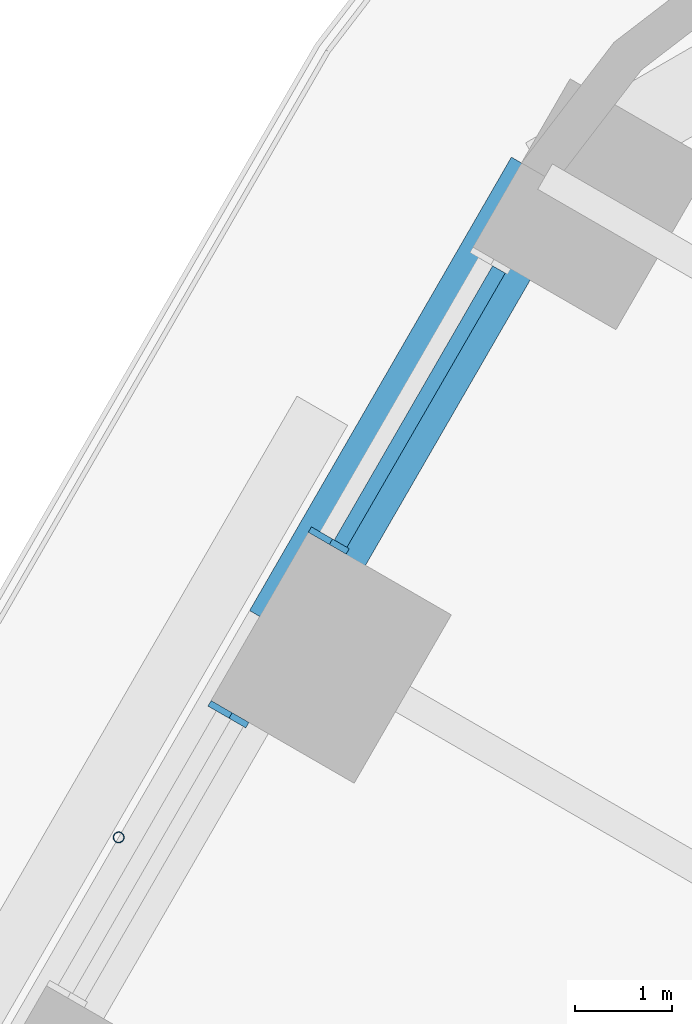
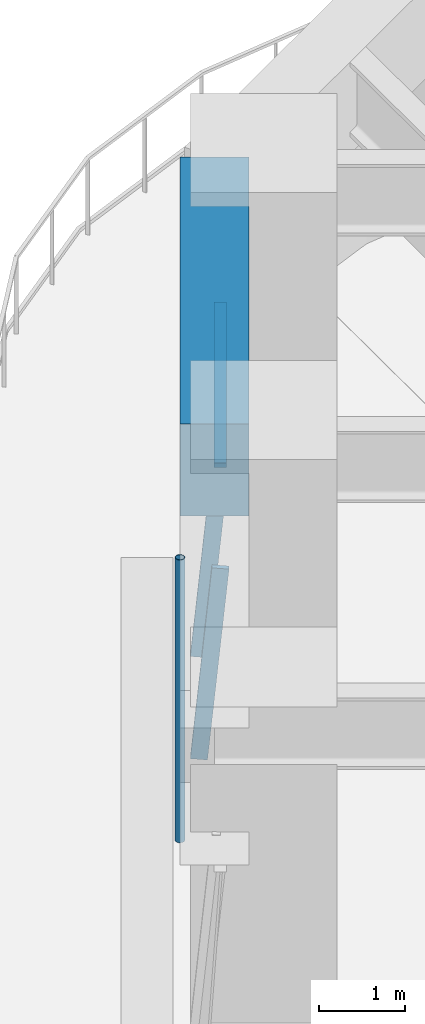
# One storey, part 9 of 24: 4 members, 1 beam, 2 elements without a shape of their own.
"""IFC4 building model written with IfcOpenShell, lengths in metres."""

import ifcopenshell
import ifcopenshell.guid

model = None  # the IFC model being written
_history = None  # IfcOwnerHistory: only IFC2X3 demands one
_inside = {}  # id of a spatial element -> (the spatial element, [elements in it])
_under = {}  # id of a project, library or spatial element -> (it, [spatial elements below it])
_declared = {}  # id of a project -> (the project, [libraries it declares])
_typed = {}  # id of a type object -> (the type object, [elements of that type])
_made_of = {}  # id of a material, layer set ... -> (it, [elements and type objects made of it])


def new_model(schema):
    """Start an empty IFC model of exactly this schema.

    Asked for "IFC4X3", IfcOpenShell would pick the latest addendum, in which some entities
    have other attributes; the version numbers below select the first issue.
    IFC2X3 requires an IfcOwnerHistory on every rooted entity: one is made here for all.
    """
    global model, _history
    if schema == "IFC4X3":
        model = ifcopenshell.file(schema_version=(4, 3, 0, 0))
    else:
        model = ifcopenshell.file(schema=schema)
    _inside.clear()
    _under.clear()
    _declared.clear()
    _typed.clear()
    _made_of.clear()
    _history = None
    if model.schema == "IFC2X3":
        org = make("IfcOrganization", Name="unknown")
        user = make(
            "IfcPersonAndOrganization",
            ThePerson=make("IfcPerson", FamilyName="unknown"),
            TheOrganization=org,
        )
        app = make(
            "IfcApplication",
            ApplicationDeveloper=org,
            Version="unknown",
            ApplicationFullName="unknown",
            ApplicationIdentifier="unknown",
        )
        _history = make(
            "IfcOwnerHistory",
            OwningUser=user,
            OwningApplication=app,
            ChangeAction="ADDED",
            CreationDate=0,
        )
    return model


def make(cls, **values):
    """One entity of the class cls with the attributes given. An attribute that is None is left unset."""
    return model.create_entity(
        cls, **{name: value for name, value in values.items() if value is not None}
    )


def rooted(cls, **values):
    """An entity with a GlobalId (a new one), such as an element, a storey or a relation."""
    return make(cls, GlobalId=ifcopenshell.guid.new(), OwnerHistory=_history, **values)


def si_unit(unit_type, name, prefix=None):
    """IfcSIUnit, for example si_unit("LENGTHUNIT", "METRE", prefix="MILLI")."""
    return make("IfcSIUnit", UnitType=unit_type, Prefix=prefix, Name=name)


def assignment(units):
    """IfcUnitAssignment: the units of a project."""
    return None if units is None else make("IfcUnitAssignment", Units=units)


def point(xyz):
    """IfcCartesianPoint."""
    return None if xyz is None else make("IfcCartesianPoint", Coordinates=xyz)


def direction(xyz):
    """IfcDirection."""
    return None if xyz is None else make("IfcDirection", DirectionRatios=xyz)


def frame(location, z_axis=None, x_axis=None):
    """IfcAxis2Placement3D, a coordinate frame: its origin and axes. An axis left out is left unset."""
    return make(
        "IfcAxis2Placement3D",
        Location=point(location),
        Axis=direction(z_axis),
        RefDirection=direction(x_axis),
    )


def frame_2d(location, x_axis=None):
    """IfcAxis2Placement2D, a coordinate frame in the plane: its origin and x axis."""
    return make(
        "IfcAxis2Placement2D", Location=point(location), RefDirection=direction(x_axis)
    )


def origin():
    """The frame at (0, 0, 0) with its axes left unset."""
    return frame((0.0, 0.0, 0.0))


def origin_2d():
    """The frame at (0, 0) in the plane with its x axis left unset."""
    return frame_2d((0.0, 0.0))


def place(relative_to, where):
    """IfcLocalPlacement: puts the frame where relative to a parent placement (None: the world)."""
    return make(
        "IfcLocalPlacement", PlacementRelTo=relative_to, RelativePlacement=where
    )


def context(
    kind, dimensions, precision=None, world=None, true_north=None, identifier=None
):
    """IfcGeometricRepresentationContext, for example the 3D "Model" context."""
    return make(
        "IfcGeometricRepresentationContext",
        ContextIdentifier=identifier,
        ContextType=kind,
        CoordinateSpaceDimension=dimensions,
        Precision=precision,
        WorldCoordinateSystem=world,
        TrueNorth=true_north,
    )


def subcontext(parent, identifier, kind, view, scale=None):
    """IfcGeometricRepresentationSubContext, for example "Body" below "Model"."""
    return make(
        "IfcGeometricRepresentationSubContext",
        ContextIdentifier=identifier,
        ContextType=kind,
        ParentContext=parent,
        TargetScale=scale,
        TargetView=view,
    )


def project(units=None, contexts=None):
    """IfcProject with its units and contexts."""
    return rooted(
        "IfcProject",
        Name="project",
        RepresentationContexts=contexts,
        UnitsInContext=assignment(units),
    )


def spatial(cls, under=None, at=None, **own):
    """A site, building, storey or space (cls), placed at a placement, below another one or the project."""
    s = rooted(cls, ObjectPlacement=at, **own)
    if under is not None:
        _under.setdefault(under.id(), (under, []))[1].append(s)
    return s


def profile(cls, at=None, kind="AREA", **sizes):
    """A parametric profile (cls). Its sizes go by their IFC names, for example OverallWidth=200.0."""
    return make(cls, ProfileType=kind, Position=at, **sizes)


def rectangle(**sizes):
    """IfcRectangleProfileDef."""
    return profile("IfcRectangleProfileDef", **sizes)


def hollow_circle(**sizes):
    """IfcCircleHollowProfileDef."""
    return profile("IfcCircleHollowProfileDef", **sizes)


def extrude(swept, where, along, depth):
    """IfcExtrudedAreaSolid: the profile swept, set in the frame where, extruded along a direction by depth."""
    return make(
        "IfcExtrudedAreaSolid",
        SweptArea=swept,
        Position=where,
        ExtrudedDirection=direction(along),
        Depth=depth,
    )


def shape(context_of_items, identifier, shape_type, items):
    """IfcShapeRepresentation: the items that make up one representation, for example the "Body"."""
    return make(
        "IfcShapeRepresentation",
        ContextOfItems=context_of_items,
        RepresentationIdentifier=identifier,
        RepresentationType=shape_type,
        Items=items,
    )


def material(Name=None, Category=None):
    """IfcMaterial."""
    return make("IfcMaterial", Name=Name, Category=Category)


def material_profile(
    of_material, cross_section, Name=None, Category=None, Priority=None
):
    """IfcMaterialProfile: a cross section and its material."""
    return make(
        "IfcMaterialProfile",
        Name=Name,
        Material=of_material,
        Profile=cross_section,
        Priority=Priority,
        Category=Category,
    )


def profile_set(profiles, Name=None, composite=None):
    """IfcMaterialProfileSet."""
    return make(
        "IfcMaterialProfileSet",
        Name=Name,
        MaterialProfiles=profiles,
        CompositeProfile=composite,
    )


def made_of(thing, what):
    """Note that an element or type object is made of a material, layer set ...; save() writes the relation."""
    if what is not None:
        _made_of.setdefault(what.id(), (what, []))[1].append(thing)
    return thing


def type_object(cls, material=None, **own):
    """A type object (cls), such as IfcWallType, which elements share."""
    return made_of(rooted(cls, **own), material)


def element(
    cls,
    number,
    at=None,
    inside=None,
    cuts=None,
    type_object=None,
    material=None,
    context=None,
    identifier="Body",
    shape_type=None,
    held_by="IfcProductDefinitionShape",
    body=None,
    shapes=None,
    **own,
):
    """One element of the class cls, such as IfcWall. Its Tag is "e" and its number.

    at: its placement. inside: the storey or other place that contains it. cuts: it is an
    opening in that element (IfcRelVoidsElement). A single representation is given by context,
    identifier, shape_type and body (its items); several are given by shapes. held_by: the class
    of the entity that holds the representations. save() writes the other relations.
    """
    e = rooted(cls, Tag="e%d" % number, ObjectPlacement=at, **own)
    if body is not None:
        shapes = [shape(context, identifier, shape_type, body)]
    if shapes is not None:
        e.Representation = make(held_by, Representations=shapes)
    if inside is not None:
        _inside.setdefault(inside.id(), (inside, []))[1].append(e)
    if cuts is not None:
        rooted(
            "IfcRelVoidsElement", RelatingBuildingElement=cuts, RelatedOpeningElement=e
        )
    if type_object is not None:
        _typed.setdefault(type_object.id(), (type_object, []))[1].append(e)
    return made_of(e, material)


def aggregate(whole, parts):
    """IfcRelAggregates: a whole, such as a stair, and the parts it consists of."""
    return rooted("IfcRelAggregates", RelatingObject=whole, RelatedObjects=parts)


def save(model, path):
    """Write the relations noted so far, then the file.

    IfcRelAggregates (storeys below a building ...), IfcRelContainedInSpatialStructure (elements
    in a storey), IfcRelDefinesByType, IfcRelAssociatesMaterial and IfcRelDeclares: one each for
    every whole, place, type object, material and project.
    """
    for whole, parts in _under.values():
        aggregate(whole, parts)
    for where, things in _inside.values():
        rooted(
            "IfcRelContainedInSpatialStructure",
            RelatedElements=things,
            RelatingStructure=where,
        )
    for kind, things in _typed.values():
        rooted("IfcRelDefinesByType", RelatedObjects=things, RelatingType=kind)
    for what, things in _made_of.values():
        rooted("IfcRelAssociatesMaterial", RelatedObjects=things, RelatingMaterial=what)
    for by, libraries in _declared.values():
        rooted("IfcRelDeclares", RelatingContext=by, RelatedDefinitions=libraries)
    model.write(path)


model = new_model("IFC4")

# Units and contexts
model_context = context("Model", 3, precision=1e-05, world=origin(), true_north=direction((0.0, 1.0)))
body_context = subcontext(model_context, "Body", "Model", "MODEL_VIEW")
ifc_project = project(units=[si_unit("LENGTHUNIT", "METRE"), si_unit("AREAUNIT", "SQUARE_METRE"), si_unit("VOLUMEUNIT", "CUBIC_METRE"), si_unit("PLANEANGLEUNIT", "RADIAN"), si_unit("MASSUNIT", "GRAM", prefix="KILO")], contexts=[model_context])

# Site, building, storey
site_placement = place(None, origin())
site = spatial("IfcSite", under=ifc_project, at=site_placement, CompositionType="ELEMENT")
building_placement = place(site_placement, origin())
building = spatial("IfcBuilding", under=site, at=building_placement, Name="Tarfa Lantern Tower", CompositionType="ELEMENT")
storey_placement = place(building_placement, frame((0.0, 0.0, 65.5)))
storey = spatial("IfcBuildingStorey", under=building, at=storey_placement, Name="L14", CompositionType="ELEMENT", Elevation=65.5)

# Curtain wall, member
ifc_material_1 = material(Name="Aluminium framed curtain wall", Category="aluminium")
curtain_wall_type = type_object("IfcCurtainWallType", Name="CW1 CANTED GLAZING LOW ZONE 2700", PredefinedType="USERDEFINED", material=ifc_material_1)
curtain_wall_1_placement = place(storey_placement, origin())
curtain_wall_1 = element("IfcCurtainWall", 1, at=curtain_wall_1_placement, inside=storey, type_object=curtain_wall_type, Name="CW1 NW L14", ObjectType="CURTAIN WALL", PredefinedType="USERDEFINED")
ifc_material_2 = material(Name="Aluminium mullion", Category="aluminium")
ifc_material_profile_1 = material_profile(ifc_material_2, rectangle(XDim=0.06494140625, YDim=0.199951171875, at=origin_2d()), Name="AL MULLION 65x200")
ifc_profile_set_1 = profile_set([ifc_material_profile_1], Name="Aluminium mullion")
member_type_1 = type_object("IfcMemberType", Name="CWM1 MULLION 65x200", PredefinedType="MULLION", material=ifc_profile_set_1)
member_1_placement = place(storey_placement, frame((-23.453369140625, 27.177490234375, 0.0), z_axis=(0.07986442134, -0.046099868913, 0.99573916077), x_axis=(0.499919672301, 0.866071776036, 0.0)))
member_1 = element("IfcMember", 2, at=member_1_placement, type_object=member_type_1, Name="CW1 mullion 2", PredefinedType="MULLION", context=body_context, shape_type="SweptSolid", body=[
    extrude(rectangle(XDim=0.06494140625, YDim=0.199951171875, at=origin_2d()), origin(), (0.0, 0.0, 1.0), 2.71142578125),
])

curtain_wall_2_placement = place(storey_placement, origin())
curtain_wall_2 = element("IfcCurtainWall", 3, at=curtain_wall_2_placement, inside=storey, type_object=curtain_wall_type, Name="CW1 NW L14", ObjectType="CURTAIN WALL", PredefinedType="USERDEFINED")
member_2_placement = place(storey_placement, frame((-24.48583984375, 25.38916015625, 0.0), z_axis=(0.07986442134, -0.046099868913, 0.99573916077), x_axis=(0.499919672301, 0.866071776036, 0.0)))
member_2 = element("IfcMember", 4, at=member_2_placement, type_object=member_type_1, Name="CW1 mullion 1", PredefinedType="MULLION", context=body_context, shape_type="SweptSolid", body=[
    extrude(rectangle(XDim=0.06494140625, YDim=0.199951171875, at=origin_2d()), origin(), (0.0, 0.0, 1.0), 2.71142578125),
])
aggregate(curtain_wall_2, [member_2])

# Member
ifc_material_3 = material(Name="Aluminium transom", Category="aluminium")
ifc_material_profile_2 = material_profile(ifc_material_3, rectangle(XDim=0.14990234375, YDim=0.06494140625, at=origin_2d()), Name="AL TRANSOM 150x65")
ifc_profile_set_2 = profile_set([ifc_material_profile_2], Name="Aluminium transom")
member_type_2 = type_object("IfcMemberType", Name="CWT1 TRANSOM 150x65", PredefinedType="USERDEFINED", material=ifc_profile_set_2)
member_3_placement = place(storey_placement, frame((-21.593994140625, 29.904296875, 2.66748046875), z_axis=(-0.499966746847, -0.86604460165, 0.0), x_axis=(0.86604460165, -0.499966746847, 0.0)))
member_3 = element("IfcMember", 5, at=member_3_placement, type_object=member_type_2, Name="CW1 transom 1.2", ObjectType="TRANSOM", PredefinedType="USERDEFINED", context=body_context, shape_type="SweptSolid", body=[
    extrude(rectangle(XDim=0.14990234375, YDim=0.06494140625, at=origin_2d()), origin(), (0.0, 0.0, 1.0), 3.258544921875),
])

aggregate(curtain_wall_1, [member_1, member_3])

# Beam
ifc_material_4 = material(Name="Concrete C80/95", Category="concrete")
ifc_material_profile_3 = material_profile(ifc_material_4, rectangle(XDim=0.800048828125, YDim=1.300048828125, at=origin_2d()), Name="RC 800x1300")
ifc_profile_set_3 = profile_set([ifc_material_profile_3], Name="Concrete C80/95")
beam_type = type_object("IfcBeamType", Name="EB1 RC 800x1300", PredefinedType="SPANDREL", material=ifc_profile_set_3)
beam_placement = place(storey_placement, frame((-21.119384765625, 30.860107421875, 3.35009765625), z_axis=(-0.499998287579, -0.866026392449, 0.0), x_axis=(0.866026392449, -0.499998287579, 0.0)))
element("IfcBeam", 6, at=beam_placement, inside=storey, type_object=beam_type, Name="Edge beam NW0", PredefinedType="SPANDREL", context=body_context, shape_type="SweptSolid", body=[
    extrude(rectangle(XDim=0.800048828125, YDim=1.300048828125, at=origin_2d()), origin(), (0.0, 0.0, 1.0), 5.388671875),
])

# Member
ifc_material_5 = material(Name="Steel S355", Category="steel")
ifc_material_profile_4 = material_profile(ifc_material_5, hollow_circle(Radius=0.05712890625, WallThickness=0.00634765625, at=origin_2d()), Name="CHS114.3x6.3")
ifc_profile_set_4 = profile_set([ifc_material_profile_4], Name="Steel S355")
member_type_3 = type_object("IfcMemberType", Name="TR1 GREEN WALL TRELLIS CHS114.3x6.3", PredefinedType="USERDEFINED", material=ifc_profile_set_4)
member_4_placement = place(storey_placement, frame((-25.50732421875, 24.06005859375, 0.0), z_axis=(0.0, 0.0, 1.0), x_axis=(1.0, 0.0, 0.0)))
element("IfcMember", 7, at=member_4_placement, inside=storey, type_object=member_type_3, Name="Trellis post NW 1", ObjectType="TRELLIS", PredefinedType="USERDEFINED", context=body_context, shape_type="SweptSolid", body=[
    extrude(hollow_circle(Radius=0.05712890625, WallThickness=0.00634765625, at=origin_2d()), origin(), (0.0, 0.0, 1.0), 4.0),
])

save(model, "model.ifc")
